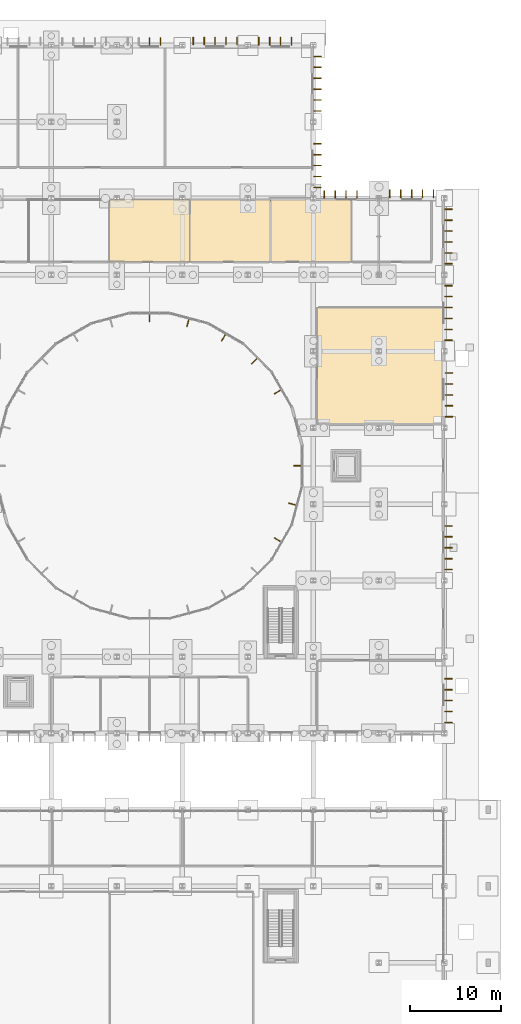
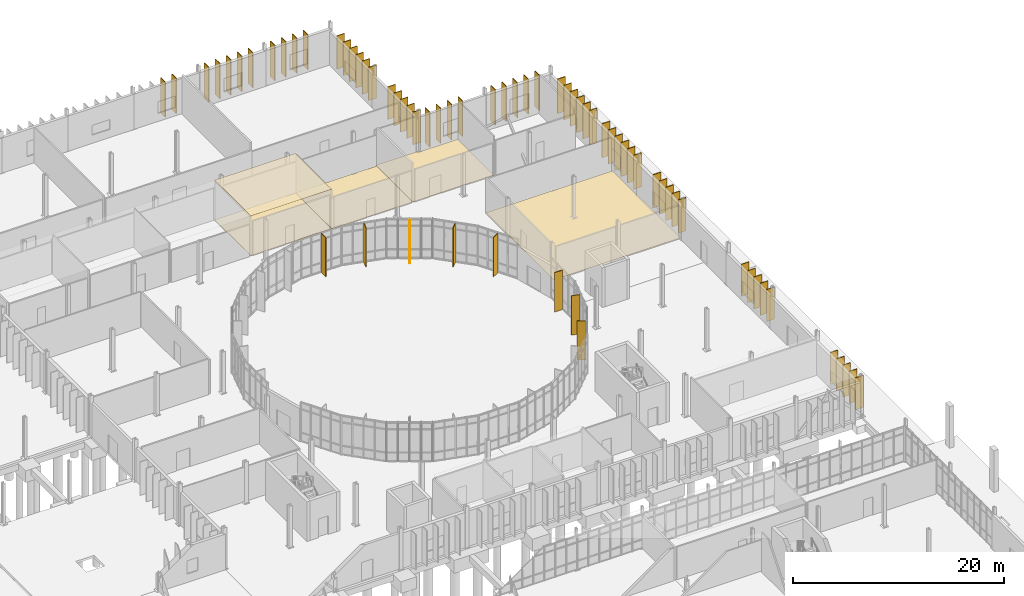
# One storey, part 117 of 118: 66 shading devices, 5 coverings.
"""IFC4 building model written with IfcOpenShell, lengths in metres."""

from ifc_helpers import new_model, si_unit, direction, frame, origin, origin_2d, place, context, subcontext, project, spatial, polyline, rectangle, outline, extrude, material, layer, layer_set, type_object, element, save


model = new_model("IFC4")

# Units and contexts
model_context = context("Model", 3, precision=1e-05, world=origin(), true_north=direction((0.0, 1.0)))
body_context = subcontext(model_context, "Body", "Model", "MODEL_VIEW")
ifc_project = project(units=[si_unit("LENGTHUNIT", "METRE"), si_unit("AREAUNIT", "SQUARE_METRE"), si_unit("VOLUMEUNIT", "CUBIC_METRE"), si_unit("PLANEANGLEUNIT", "RADIAN"), si_unit("MASSUNIT", "GRAM", prefix="KILO")], contexts=[model_context])

# Site, building, storey
site_placement = place(None, origin())
site = spatial("IfcSite", under=ifc_project, at=site_placement, CompositionType="ELEMENT")
building_placement = place(site_placement, origin())
building = spatial("IfcBuilding", under=site, at=building_placement, Name="Qelthora Terrace Specialist Clinic", CompositionType="ELEMENT")
storey_placement = place(building_placement, origin())
storey = spatial("IfcBuildingStorey", under=building, at=storey_placement, Name="L00", CompositionType="ELEMENT", Elevation=0.0)

# Coverings
ifc_material_1 = material(Name="Hygienic mineral-fibre acoustic ceiling", Category="gypsum")
ifc_layer_1 = layer(ifc_material_1, 0.02490234375)
ifc_layer_set_1 = layer_set([ifc_layer_1], Name="Hygienic mineral-fibre acoustic ceiling")
covering_type_1 = type_object("IfcCoveringType", Name="COV-CEIL-ACU-25", PredefinedType="CEILING", material=ifc_layer_set_1)
covering_1_placement = place(storey_placement, frame((0.0, 0.0, 4.554931640625)))
element("IfcCovering", 1, at=covering_1_placement, inside=storey, type_object=covering_type_1, Name="Dermatology Examination L00-39 acoustic ceiling", PredefinedType="CEILING", context=body_context, shape_type="SweptSolid", body=[
    extrude(outline(polyline([(121.576416015625, 85.39990234375), (121.576416015625, 92.25), (130.4287109375, 92.25), (130.4287109375, 85.39990234375), (121.576416015625, 85.39990234375)])), origin(), (0.0, 0.0, 1.0), 0.025146484375),
])
ifc_material_2 = material(Name="Antimicrobial clinical linoleum flooring", Category="other")
ifc_layer_2 = layer(ifc_material_2, 0.011962890625)
ifc_layer_set_2 = layer_set([ifc_layer_2], Name="Antimicrobial clinical linoleum flooring")
covering_type_2 = type_object("IfcCoveringType", Name="COV-FLR-LINO-12", PredefinedType="FLOORING", material=ifc_layer_set_2)
covering_2_placement = place(storey_placement, origin())
element("IfcCovering", 2, at=covering_2_placement, inside=storey, type_object=covering_type_2, Name="Dermatology Examination L00-39 resilient linoleum flooring", PredefinedType="FLOORING", context=body_context, shape_type="SweptSolid", body=[
    extrude(outline(polyline([(121.576416015625, 85.39990234375), (121.576416015625, 92.25), (130.4287109375, 92.25), (130.4287109375, 85.39990234375), (121.576416015625, 85.39990234375)])), origin(), (0.0, 0.0, 1.0), 0.011962890625),
])
covering_3_placement = place(storey_placement, origin())
element("IfcCovering", 3, at=covering_3_placement, inside=storey, type_object=covering_type_2, Name="Dermatology Minor Procedure L00-40 resilient linoleum flooring", PredefinedType="FLOORING", context=body_context, shape_type="SweptSolid", body=[
    extrude(outline(polyline([(130.43359375, 85.39990234375), (130.43359375, 92.25), (139.28564453125, 92.25), (139.28564453125, 85.39990234375), (130.43359375, 85.39990234375)])), origin(), (0.0, 0.0, 1.0), 0.011962890625),
])
covering_4_placement = place(storey_placement, origin())
element("IfcCovering", 4, at=covering_4_placement, inside=storey, type_object=covering_type_2, Name="Outpatient Nurse Station L00-41 resilient linoleum flooring", PredefinedType="FLOORING", context=body_context, shape_type="SweptSolid", body=[
    extrude(outline(polyline([(143.8701171875, 92.39990234375), (143.8701171875, 92.27001953125), (148.142822265625, 92.27001953125), (148.142822265625, 85.39990234375), (139.290771484375, 85.39990234375), (139.290771484375, 92.39990234375), (143.8701171875, 92.39990234375)])), origin(), (0.0, 0.0, 1.0), 0.011962890625),
])
covering_5_placement = place(storey_placement, origin())
element("IfcCovering", 5, at=covering_5_placement, inside=storey, type_object=covering_type_2, Name="Service Receiving and Clean Logistics L00-43 resilient linoleum flooring", PredefinedType="FLOORING", context=body_context, shape_type="SweptSolid", body=[
    extrude(outline(polyline([(144.39990234375, 67.60009765625), (144.39990234375, 80.39990234375), (158.27001953125, 80.39990234375), (158.27001953125, 67.60009765625), (144.39990234375, 67.60009765625)])), origin(), (0.0, 0.0, 1.0), 0.011962890625),
])

# Shading devices
ifc_material_3 = material(Name="Glulam timber GL28h", Category="wood")
shading_device_type = type_object("IfcShadingDeviceType", Name="SHD-FIN-850", PredefinedType="USERDEFINED", material=ifc_material_3)
for number, where, z_axis, x_axis, name in (
    (6, (140.082763671875, 71.130615234375, 0.0), (0.0, 0.0, 1.0), (-0.866025403784, -0.5, 0.0), "Court solar fin FIN-0001"),
    (7, (137.49853515625, 74.49853515625, 0.0), (0.0, 0.0, 1.0), (-0.707106781187, -0.707106781187, 0.0), "Court solar fin FIN-0002"),
    (8, (134.130615234375, 77.082763671875, 0.0), (0.0, 0.0, 1.0), (-0.5, -0.866025403784, 0.0), "Court solar fin FIN-0003"),
    (9, (130.208740234375, 78.707275390625, 0.0), (0.0, 0.0, 1.0), (-0.258819045103, -0.965925826289, 0.0), "Court solar fin FIN-0004"),
    (10, (126.0, 79.26123046875, 0.0), (0.0, 0.0, 1.0), (0.0, -1.0, 0.0), "Court solar fin FIN-0005"),
    (11, (140.082763671875, 54.869384765625, 0.0), (0.0, 0.0, 1.0), (-0.866025403784, 0.5, 0.0), "Court solar fin FIN-0020"),
    (12, (141.707275390625, 58.791259765625, 0.0), (0.0, 0.0, 1.0), (-0.965925826289, 0.258819045103, 0.0), "Court solar fin FIN-0021"),
    (13, (142.26123046875, 63.0, 0.0), (0.0, 0.0, 1.0), (-1.0, 0.0, 0.0), "Court solar fin FIN-0022"),
):
    element("IfcShadingDevice", number, at=place(storey_placement, frame(where, z_axis=z_axis, x_axis=x_axis)), inside=storey, type_object=shading_device_type, Name=name, ObjectType="FIN", PredefinedType="USERDEFINED", context=body_context, shape_type="SweptSolid", body=[
        extrude(rectangle(XDim=0.85009765625, YDim=0.080078125, at=origin_2d()), origin(), (0.0, 0.0, 1.0), 4.544921875),
    ])
for number, where, z_axis, x_axis, name in (
    (14, (126.0, 109.635009765625, 0.0), (0.0, 0.0, 1.0), (0.0, 1.0, 0.0), "Exterior solar shading fin FIN-0306"),
    (15, (127.199951171875, 109.635009765625, 0.0), (0.0, 0.0, 1.0), (0.0, 1.0, 0.0), "Exterior solar shading fin FIN-0307"),
    (16, (130.800048828125, 109.695068359375, 0.0), (0.0, 0.0, 1.0), (0.0, 1.0, 0.0), "Exterior solar shading fin FIN-0308"),
    (17, (132.0, 109.695068359375, 0.0), (0.0, 0.0, 1.0), (0.0, 1.0, 0.0), "Exterior solar shading fin FIN-0309"),
    (18, (133.199951171875, 109.695068359375, 0.0), (0.0, 0.0, 1.0), (0.0, 1.0, 0.0), "Exterior solar shading fin FIN-0310"),
    (19, (134.39990234375, 109.695068359375, 0.0), (0.0, 0.0, 1.0), (0.0, 1.0, 0.0), "Exterior solar shading fin FIN-0311"),
    (20, (135.60009765625, 109.695068359375, 0.0), (0.0, 0.0, 1.0), (0.0, 1.0, 0.0), "Exterior solar shading fin FIN-0312"),
    (21, (138.0, 109.6650390625, 0.0), (0.0, 0.0, 1.0), (0.0, 1.0, 0.0), "Exterior solar shading fin FIN-0313"),
    (22, (139.199951171875, 109.6650390625, 0.0), (0.0, 0.0, 1.0), (0.0, 1.0, 0.0), "Exterior solar shading fin FIN-0314"),
    (23, (140.39990234375, 109.6650390625, 0.0), (0.0, 0.0, 1.0), (0.0, 1.0, 0.0), "Exterior solar shading fin FIN-0315"),
    (24, (141.60009765625, 109.6650390625, 0.0), (0.0, 0.0, 1.0), (0.0, 1.0, 0.0), "Exterior solar shading fin FIN-0316"),
):
    element("IfcShadingDevice", number, at=place(storey_placement, frame(where, z_axis=z_axis, x_axis=x_axis)), inside=storey, type_object=shading_device_type, Name=name, ObjectType="FIN", PredefinedType="USERDEFINED", context=body_context, shape_type="SweptSolid", body=[
        extrude(rectangle(XDim=0.85009765625, YDim=0.080078125, at=origin_2d()), origin(), (0.0, 0.0, 1.0), 4.08203125),
    ])
for number, where, z_axis, x_axis, name in (
    (25, (144.455078125, 93.60009765625, 0.0), (0.0, 0.0, 1.0), (1.0, 0.0, 0.0), "Exterior solar shading fin FIN-0317"),
    (26, (144.455078125, 94.800048828125, 0.0), (0.0, 0.0, 1.0), (1.0, 0.0, 0.0), "Exterior solar shading fin FIN-0318"),
    (27, (144.455078125, 96.0, 0.0), (0.0, 0.0, 1.0), (1.0, 0.0, 0.0), "Exterior solar shading fin FIN-0319"),
    (28, (144.455078125, 97.199951171875, 0.0), (0.0, 0.0, 1.0), (1.0, 0.0, 0.0), "Exterior solar shading fin FIN-0320"),
    (29, (144.455078125, 98.39990234375, 0.0), (0.0, 0.0, 1.0), (1.0, 0.0, 0.0), "Exterior solar shading fin FIN-0321"),
):
    element("IfcShadingDevice", number, at=place(storey_placement, frame(where, z_axis=z_axis, x_axis=x_axis)), inside=storey, type_object=shading_device_type, Name=name, ObjectType="FIN", PredefinedType="USERDEFINED", context=body_context, shape_type="SweptSolid", body=[
        extrude(rectangle(XDim=0.85009765625, YDim=0.080078125, at=origin_2d()), origin(), (0.0, 0.0, 1.0), 3.77197265625),
    ])
for number, where, z_axis, x_axis, name in (
    (30, (144.445068359375, 102.0, 0.0), (0.0, 0.0, 1.0), (1.0, 0.0, 0.0), "Exterior solar shading fin FIN-0322"),
    (31, (144.445068359375, 103.199951171875, 0.0), (0.0, 0.0, 1.0), (1.0, 0.0, 0.0), "Exterior solar shading fin FIN-0323"),
    (32, (144.445068359375, 104.39990234375, 0.0), (0.0, 0.0, 1.0), (1.0, 0.0, 0.0), "Exterior solar shading fin FIN-0324"),
    (33, (144.445068359375, 105.60009765625, 0.0), (0.0, 0.0, 1.0), (1.0, 0.0, 0.0), "Exterior solar shading fin FIN-0325"),
    (34, (144.445068359375, 106.800048828125, 0.0), (0.0, 0.0, 1.0), (1.0, 0.0, 0.0), "Exterior solar shading fin FIN-0326"),
    (35, (144.445068359375, 108.0, 0.0), (0.0, 0.0, 1.0), (1.0, 0.0, 0.0), "Exterior solar shading fin FIN-0327"),
):
    element("IfcShadingDevice", number, at=place(storey_placement, frame(where, z_axis=z_axis, x_axis=x_axis)), inside=storey, type_object=shading_device_type, Name=name, ObjectType="FIN", PredefinedType="USERDEFINED", context=body_context, shape_type="SweptSolid", body=[
        extrude(rectangle(XDim=0.85009765625, YDim=0.080078125, at=origin_2d()), origin(), (0.0, 0.0, 1.0), 3.84912109375),
    ])
for number, where, z_axis, x_axis, name in (
    (36, (145.199951171875, 92.8349609375, 0.0), (0.0, 0.0, 1.0), (0.0, 1.0, 0.0), "Exterior solar shading fin FIN-0328"),
    (37, (146.39990234375, 92.8349609375, 0.0), (0.0, 0.0, 1.0), (0.0, 1.0, 0.0), "Exterior solar shading fin FIN-0329"),
    (38, (147.60009765625, 92.8349609375, 0.0), (0.0, 0.0, 1.0), (0.0, 1.0, 0.0), "Exterior solar shading fin FIN-0330"),
    (39, (148.800048828125, 92.8349609375, 0.0), (0.0, 0.0, 1.0), (0.0, 1.0, 0.0), "Exterior solar shading fin FIN-0331"),
    (40, (152.39990234375, 92.89501953125, 0.0), (0.0, 0.0, 1.0), (0.0, 1.0, 0.0), "Exterior solar shading fin FIN-0332"),
    (41, (153.60009765625, 92.89501953125, 0.0), (0.0, 0.0, 1.0), (0.0, 1.0, 0.0), "Exterior solar shading fin FIN-0333"),
    (42, (154.800048828125, 92.89501953125, 0.0), (0.0, 0.0, 1.0), (0.0, 1.0, 0.0), "Exterior solar shading fin FIN-0334"),
    (43, (156.0, 92.89501953125, 0.0), (0.0, 0.0, 1.0), (0.0, 1.0, 0.0), "Exterior solar shading fin FIN-0335"),
    (44, (157.199951171875, 92.89501953125, 0.0), (0.0, 0.0, 1.0), (0.0, 1.0, 0.0), "Exterior solar shading fin FIN-0336"),
):
    element("IfcShadingDevice", number, at=place(storey_placement, frame(where, z_axis=z_axis, x_axis=x_axis)), inside=storey, type_object=shading_device_type, Name=name, ObjectType="FIN", PredefinedType="USERDEFINED", context=body_context, shape_type="SweptSolid", body=[
        extrude(rectangle(XDim=0.85009765625, YDim=0.080078125, at=origin_2d()), origin(), (0.0, 0.0, 1.0), 4.08203125),
    ])
for number, where, z_axis, x_axis, name in (
    (45, (158.864990234375, 34.800048828125, 0.0), (0.0, 0.0, 1.0), (1.0, 0.0, 0.0), "Exterior solar shading fin FIN-0337"),
    (46, (158.864990234375, 36.0, 0.0), (0.0, 0.0, 1.0), (1.0, 0.0, 0.0), "Exterior solar shading fin FIN-0338"),
    (47, (158.864990234375, 37.199951171875, 0.0), (0.0, 0.0, 1.0), (1.0, 0.0, 0.0), "Exterior solar shading fin FIN-0339"),
    (48, (158.864990234375, 38.39990234375, 0.0), (0.0, 0.0, 1.0), (1.0, 0.0, 0.0), "Exterior solar shading fin FIN-0340"),
    (49, (158.864990234375, 39.60009765625, 0.0), (0.0, 0.0, 1.0), (1.0, 0.0, 0.0), "Exterior solar shading fin FIN-0341"),
    (50, (158.844970703125, 51.60009765625, 0.0), (0.0, 0.0, 1.0), (1.0, 0.0, 0.0), "Exterior solar shading fin FIN-0342"),
    (51, (158.844970703125, 52.800048828125, 0.0), (0.0, 0.0, 1.0), (1.0, 0.0, 0.0), "Exterior solar shading fin FIN-0343"),
    (52, (158.844970703125, 54.0, 0.0), (0.0, 0.0, 1.0), (1.0, 0.0, 0.0), "Exterior solar shading fin FIN-0344"),
    (53, (158.844970703125, 55.199951171875, 0.0), (0.0, 0.0, 1.0), (1.0, 0.0, 0.0), "Exterior solar shading fin FIN-0345"),
    (54, (158.844970703125, 56.39990234375, 0.0), (0.0, 0.0, 1.0), (1.0, 0.0, 0.0), "Exterior solar shading fin FIN-0346"),
):
    element("IfcShadingDevice", number, at=place(storey_placement, frame(where, z_axis=z_axis, x_axis=x_axis)), inside=storey, type_object=shading_device_type, Name=name, ObjectType="FIN", PredefinedType="USERDEFINED", context=body_context, shape_type="SweptSolid", body=[
        extrude(rectangle(XDim=0.85009765625, YDim=0.080078125, at=origin_2d()), origin(), (0.0, 0.0, 1.0), 3.69091796875),
    ])
for number, where, z_axis, x_axis, name in (
    (55, (158.89501953125, 68.39990234375, 0.0), (0.0, 0.0, 1.0), (1.0, 0.0, 0.0), "Exterior solar shading fin FIN-0347"),
    (56, (158.89501953125, 69.60009765625, 0.0), (0.0, 0.0, 1.0), (1.0, 0.0, 0.0), "Exterior solar shading fin FIN-0348"),
    (57, (158.89501953125, 70.800048828125, 0.0), (0.0, 0.0, 1.0), (1.0, 0.0, 0.0), "Exterior solar shading fin FIN-0349"),
    (58, (158.89501953125, 72.0, 0.0), (0.0, 0.0, 1.0), (1.0, 0.0, 0.0), "Exterior solar shading fin FIN-0350"),
    (59, (158.89501953125, 73.199951171875, 0.0), (0.0, 0.0, 1.0), (1.0, 0.0, 0.0), "Exterior solar shading fin FIN-0351"),
):
    element("IfcShadingDevice", number, at=place(storey_placement, frame(where, z_axis=z_axis, x_axis=x_axis)), inside=storey, type_object=shading_device_type, Name=name, ObjectType="FIN", PredefinedType="USERDEFINED", context=body_context, shape_type="SweptSolid", body=[
        extrude(rectangle(XDim=0.85009765625, YDim=0.080078125, at=origin_2d()), origin(), (0.0, 0.0, 1.0), 3.84912109375),
    ])
for number, where, z_axis, x_axis, name in (
    (60, (158.864990234375, 76.800048828125, 0.0), (0.0, 0.0, 1.0), (1.0, 0.0, 0.0), "Exterior solar shading fin FIN-0352"),
    (61, (158.864990234375, 78.0, 0.0), (0.0, 0.0, 1.0), (1.0, 0.0, 0.0), "Exterior solar shading fin FIN-0353"),
    (62, (158.864990234375, 79.199951171875, 0.0), (0.0, 0.0, 1.0), (1.0, 0.0, 0.0), "Exterior solar shading fin FIN-0354"),
    (63, (158.864990234375, 80.39990234375, 0.0), (0.0, 0.0, 1.0), (1.0, 0.0, 0.0), "Exterior solar shading fin FIN-0355"),
    (64, (158.864990234375, 81.60009765625, 0.0), (0.0, 0.0, 1.0), (1.0, 0.0, 0.0), "Exterior solar shading fin FIN-0356"),
    (65, (158.864990234375, 82.800048828125, 0.0), (0.0, 0.0, 1.0), (1.0, 0.0, 0.0), "Exterior solar shading fin FIN-0357"),
):
    element("IfcShadingDevice", number, at=place(storey_placement, frame(where, z_axis=z_axis, x_axis=x_axis)), inside=storey, type_object=shading_device_type, Name=name, ObjectType="FIN", PredefinedType="USERDEFINED", context=body_context, shape_type="SweptSolid", body=[
        extrude(rectangle(XDim=0.85009765625, YDim=0.080078125, at=origin_2d()), origin(), (0.0, 0.0, 1.0), 3.925048828125),
    ])
for number, where, z_axis, x_axis, name in (
    (66, (158.85498046875, 85.199951171875, 0.0), (0.0, 0.0, 1.0), (1.0, 0.0, 0.0), "Exterior solar shading fin FIN-0358"),
    (67, (158.85498046875, 86.39990234375, 0.0), (0.0, 0.0, 1.0), (1.0, 0.0, 0.0), "Exterior solar shading fin FIN-0359"),
    (68, (158.85498046875, 87.60009765625, 0.0), (0.0, 0.0, 1.0), (1.0, 0.0, 0.0), "Exterior solar shading fin FIN-0360"),
    (69, (158.85498046875, 88.800048828125, 0.0), (0.0, 0.0, 1.0), (1.0, 0.0, 0.0), "Exterior solar shading fin FIN-0361"),
    (70, (158.85498046875, 90.0, 0.0), (0.0, 0.0, 1.0), (1.0, 0.0, 0.0), "Exterior solar shading fin FIN-0362"),
    (71, (158.85498046875, 91.199951171875, 0.0), (0.0, 0.0, 1.0), (1.0, 0.0, 0.0), "Exterior solar shading fin FIN-0363"),
):
    element("IfcShadingDevice", number, at=place(storey_placement, frame(where, z_axis=z_axis, x_axis=x_axis)), inside=storey, type_object=shading_device_type, Name=name, ObjectType="FIN", PredefinedType="USERDEFINED", context=body_context, shape_type="SweptSolid", body=[
        extrude(rectangle(XDim=0.85009765625, YDim=0.080078125, at=origin_2d()), origin(), (0.0, 0.0, 1.0), 3.998046875),
    ])

save(model, "model.ifc")
